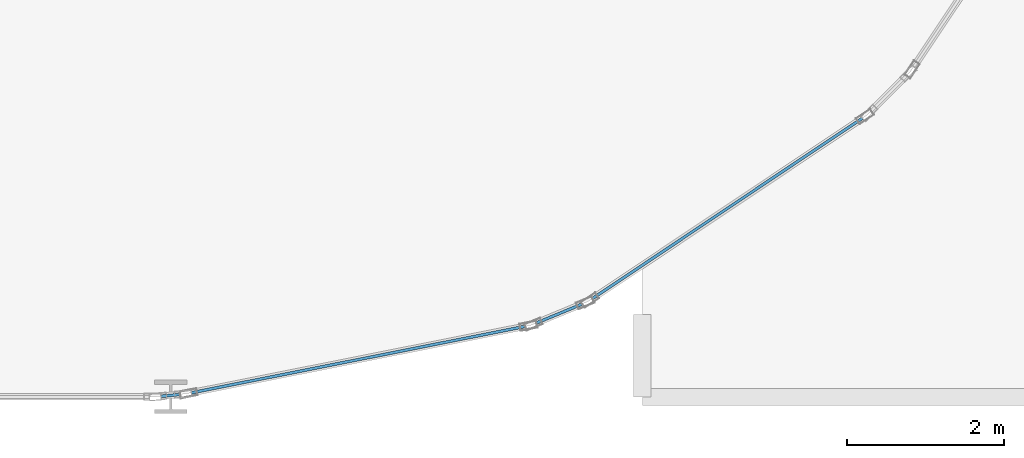
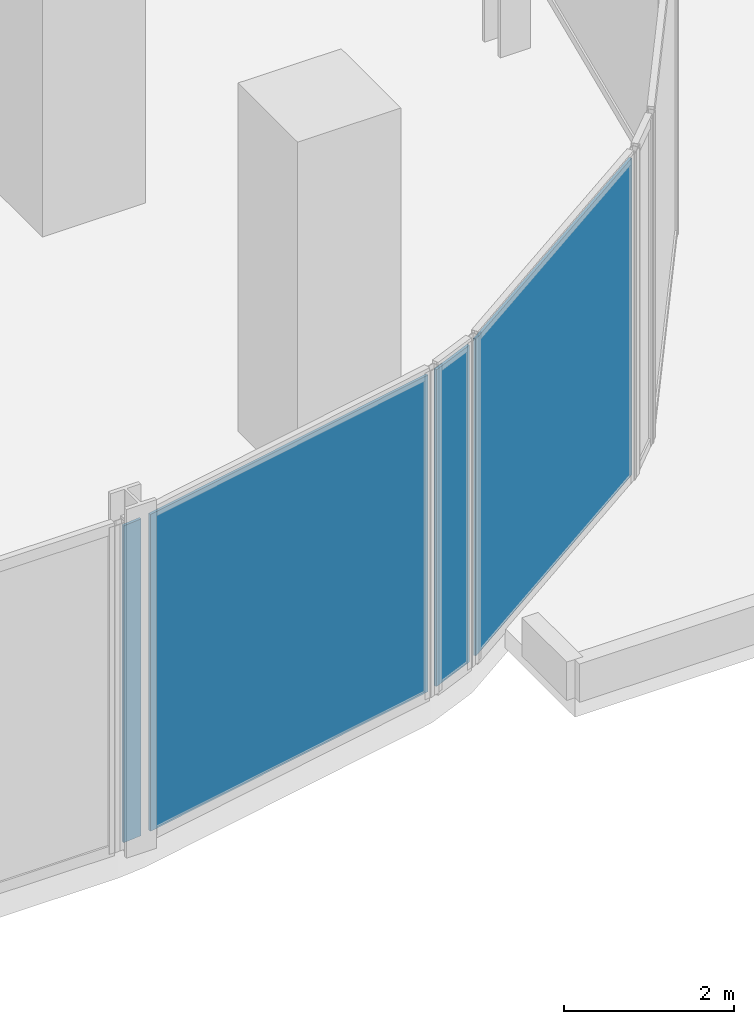
# One storey, part 19 of 29: 4 plates, 4 elements without a shape of their own.
"""IFC4 building model written with IfcOpenShell, lengths in metres."""

from ifc_helpers import new_model, si_unit, direction, frame, origin, origin_2d, place, context, subcontext, project, spatial, rectangle, extrude, material, layer, layer_set, type_object, element, aggregate, save


model = new_model("IFC4")

# Units and contexts
model_context = context("Model", 3, precision=1e-05, world=origin(), true_north=direction((0.0, 1.0)))
body_context = subcontext(model_context, "Body", "Model", "MODEL_VIEW")
ifc_project = project(units=[si_unit("LENGTHUNIT", "METRE"), si_unit("AREAUNIT", "SQUARE_METRE"), si_unit("VOLUMEUNIT", "CUBIC_METRE"), si_unit("PLANEANGLEUNIT", "RADIAN"), si_unit("MASSUNIT", "GRAM", prefix="KILO")], contexts=[model_context])

# Site, building, storey
site_placement = place(None, origin())
site = spatial("IfcSite", under=ifc_project, at=site_placement, CompositionType="ELEMENT")
building_placement = place(site_placement, origin())
building = spatial("IfcBuilding", under=site, at=building_placement, Name="Keshet Zoharim Tower", CompositionType="ELEMENT")
storey_placement = place(building_placement, frame((0.0, 0.0, 19.0)))
storey = spatial("IfcBuildingStorey", under=building, at=storey_placement, Name="L03", CompositionType="ELEMENT", Elevation=19.0)

# Curtain wall, plate
ifc_material_1 = material(Name="Aluminium 6063-T6", Category="aluminium")
ifc_layer_1 = layer(ifc_material_1, 0.179931640625)
ifc_layer_set_1 = layer_set([ifc_layer_1], Name="Aluminium 6063-T6")
curtain_wall_type = type_object("IfcCurtainWallType", Name="CW-SYS-01", PredefinedType="NOTDEFINED", material=ifc_layer_set_1)
curtain_wall_1_placement = place(storey_placement, origin())
curtain_wall_1 = element("IfcCurtainWall", 1, at=curtain_wall_1_placement, inside=storey, type_object=curtain_wall_type, Name="L03 Unitised Curtain Wall 21", PredefinedType="NOTDEFINED")
ifc_material_2 = material(Name="Insulated Low-E Clear Glass", Category="glass")
ifc_layer_2 = layer(ifc_material_2, 0.035888671875)
ifc_layer_set_2 = layer_set([ifc_layer_2], Name="Insulated Low-E Clear Glass")
plate_type = type_object("IfcPlateType", Name="CWP-01", PredefinedType="CURTAIN_PANEL", material=ifc_layer_set_2)
plate_1_placement = place(storey_placement, frame((64.083984375, 3.09912109375, 0.070068359375), z_axis=(0.0, 0.0, 1.0), x_axis=(-0.831474282335, -0.555563243758, 0.0)))
plate_1 = element("IfcPlate", 2, at=plate_1_placement, type_object=plate_type, Name="CW-01 panel 1.1", PredefinedType="CURTAIN_PANEL", context=body_context, shape_type="SweptSolid", body=[
    extrude(rectangle(XDim=4.13671875, YDim=0.035888671875, at=origin_2d()), origin(), (0.0, 0.0, 1.0), 4.544921875),
])
aggregate(curtain_wall_1, [plate_1])

curtain_wall_2_placement = place(storey_placement, origin())
curtain_wall_2 = element("IfcCurtainWall", 3, at=curtain_wall_2_placement, inside=storey, type_object=curtain_wall_type, Name="L03 Unitised Curtain Wall 22", PredefinedType="NOTDEFINED")
plate_2_placement = place(storey_placement, frame((61.945556640625, 1.761474609375, 0.070068359375), z_axis=(0.0, 0.0, 1.0), x_axis=(-0.923720000557, -0.383068349739, 0.0)))
plate_2 = element("IfcPlate", 4, at=plate_2_placement, type_object=plate_type, Name="CW-01 panel 1.1", PredefinedType="CURTAIN_PANEL", context=body_context, shape_type="SweptSolid", body=[
    extrude(rectangle(XDim=0.640625, YDim=0.035888671875, at=origin_2d()), origin(), (0.0, 0.0, 1.0), 4.544921875),
])
aggregate(curtain_wall_2, [plate_2])

curtain_wall_3_placement = place(storey_placement, origin())
curtain_wall_3 = element("IfcCurtainWall", 5, at=curtain_wall_3_placement, inside=storey, type_object=curtain_wall_type, Name="L03 Unitised Curtain Wall 23", PredefinedType="NOTDEFINED")
plate_3_placement = place(storey_placement, frame((59.388916015625, 1.175048828125, 0.070068359375), z_axis=(0.0, 0.0, 1.0), x_axis=(-0.98076917357, -0.195171279072, 0.0)))
plate_3 = element("IfcPlate", 6, at=plate_3_placement, type_object=plate_type, Name="CW-01 panel 1.1", PredefinedType="CURTAIN_PANEL", context=body_context, shape_type="SweptSolid", body=[
    extrude(rectangle(XDim=4.338134765625, YDim=0.035888671875, at=origin_2d()), origin(), (0.0, 0.0, 1.0), 4.544921875),
])
aggregate(curtain_wall_3, [plate_3])

curtain_wall_4_placement = place(storey_placement, origin())
curtain_wall_4 = element("IfcCurtainWall", 7, at=curtain_wall_4_placement, inside=storey, type_object=curtain_wall_type, Name="L03 Unitised Curtain Wall 24", PredefinedType="NOTDEFINED")
plate_4_placement = place(storey_placement, frame((56.998046875, 0.718994140625, 0.070068359375), z_axis=(0.0, 0.0, 1.0), x_axis=(-0.995286657009, -0.096976648633, 0.0)))
plate_4 = element("IfcPlate", 8, at=plate_4_placement, type_object=plate_type, Name="CW-01 panel 1.1", PredefinedType="CURTAIN_PANEL", context=body_context, shape_type="SweptSolid", body=[
    extrude(rectangle(XDim=0.251953125, YDim=0.035888671875, at=origin_2d()), origin(), (0.0, 0.0, 1.0), 4.544921875),
])
aggregate(curtain_wall_4, [plate_4])

save(model, "model.ifc")
